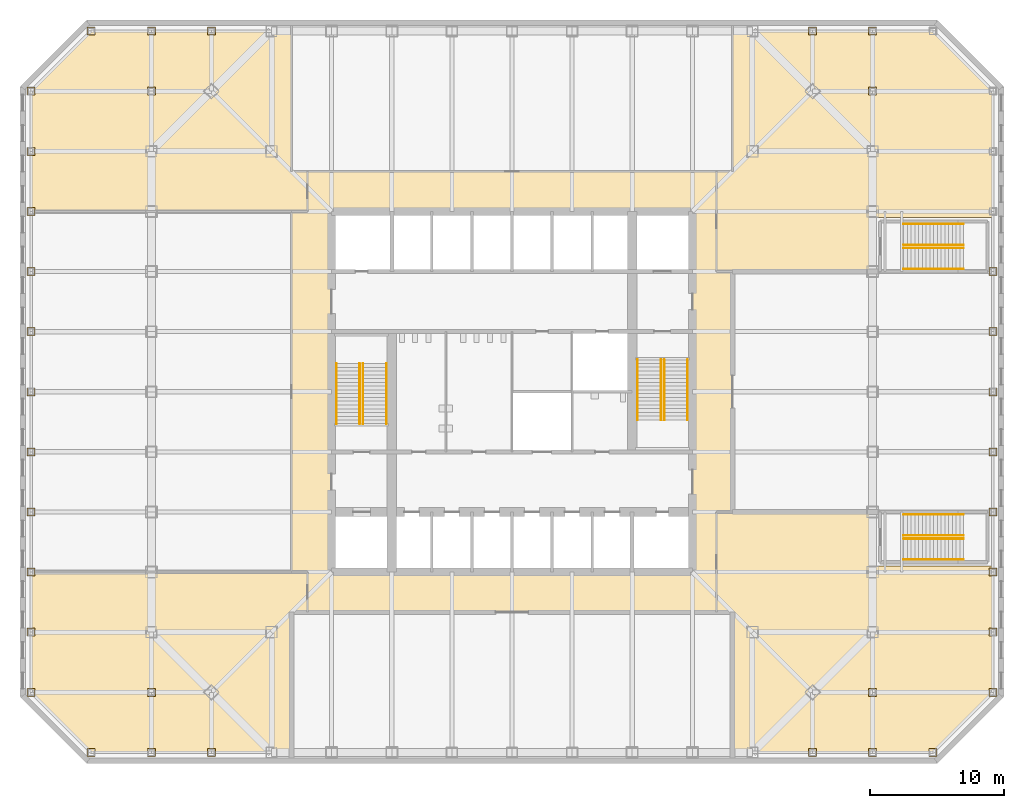
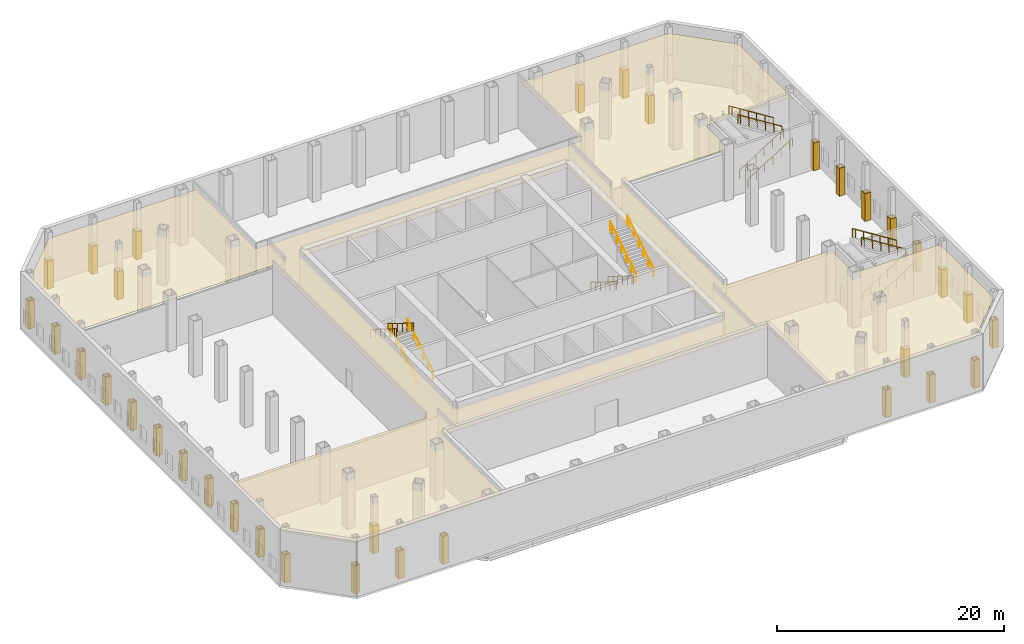
# One storey, part 11 of 13: 35 coverings, 16 railings.
"""IFC4 building model written with IfcOpenShell, lengths in metres."""

from ifc_helpers import new_model, si_unit, direction, frame, origin, origin_2d, place, context, subcontext, project, spatial, polyline, circle, outline, extrude, material, layer, layer_set, type_object, element, save


model = new_model("IFC4")

# Units and contexts
model_context = context("Model", 3, precision=1e-05, world=origin(), true_north=direction((0.0, 1.0)))
body_context = subcontext(model_context, "Body", "Model", "MODEL_VIEW")
ifc_project = project(units=[si_unit("LENGTHUNIT", "METRE"), si_unit("AREAUNIT", "SQUARE_METRE"), si_unit("VOLUMEUNIT", "CUBIC_METRE"), si_unit("PLANEANGLEUNIT", "RADIAN"), si_unit("MASSUNIT", "GRAM", prefix="KILO")], contexts=[model_context])

# Site, building, storey
site_placement = place(None, origin())
site = spatial("IfcSite", under=ifc_project, at=site_placement, CompositionType="ELEMENT")
building_placement = place(site_placement, origin())
building = spatial("IfcBuilding", under=site, at=building_placement, Name="Corais Broadcast Tower", CompositionType="ELEMENT")
storey_placement = place(building_placement, frame((0.0, 0.0, 12.0)))
storey = spatial("IfcBuildingStorey", under=building, at=storey_placement, Name="L02", CompositionType="ELEMENT", Elevation=12.0)

# Railings
ifc_material_1 = material(Name="Stainless steel handrail", Category="steel")
railing_type = type_object("IfcRailingType", Name="Handrail 920", PredefinedType="HANDRAIL", material=ifc_material_1)
for number, where, name in (
    (1, (17.60009765625, 24.60009765625, 0.176513671875), "HR1 L02"),
    (2, (15.85009765625, 24.60009765625, 0.176513671875), "HR1 L02"),
):
    element("IfcRailing", number, at=place(storey_placement, frame(where)), inside=storey, type_object=railing_type, Name=name, PredefinedType="HANDRAIL", context=body_context, shape_type="SweptSolid", body=[
        extrude(circle(Radius=0.02392578125, at=origin_2d()), frame((0.0, 0.0, 0.89599609375), z_axis=(0.0, 0.847701827889, 0.530473006847), x_axis=(-1.0, 0.0, 0.0)), (0.0, 0.0, 1.0), 5.322509765625),
        extrude(circle(Radius=0.02099609375, at=origin_2d()), origin(), (0.0, 0.0, 1.0), 0.871826171875),
        extrude(circle(Radius=0.02099609375, at=origin_2d()), frame((0.0, 0.845947265625, 0.529296875)), (0.0, 0.0, 1.0), 0.871826171875),
        extrude(circle(Radius=0.02099609375, at=origin_2d()), frame((0.0, 1.69189453125, 1.058837890625)), (0.0, 0.0, 1.0), 0.871826171875),
        extrude(circle(Radius=0.02099609375, at=origin_2d()), frame((0.0, 2.5380859375, 1.588134765625)), (0.0, 0.0, 1.0), 0.871826171875),
        extrude(circle(Radius=0.02099609375, at=origin_2d()), frame((0.0, 3.384033203125, 2.11767578125)), (0.0, 0.0, 1.0), 0.871826171875),
        extrude(circle(Radius=0.02099609375, at=origin_2d()), frame((0.0, 4.22998046875, 2.64697265625)), (0.0, 0.0, 1.0), 0.871826171875),
        extrude(circle(Radius=0.02099609375, at=origin_2d()), frame((0.0, 4.511962890625, 2.823486328125)), (0.0, 0.0, 1.0), 0.871826171875),
    ])
for number, where, name in (
    (3, (13.85009765625, 29.112060546875, 3.176513671875), "HR1 L02"),
    (4, (15.60009765625, 29.112060546875, 3.176513671875), "HR1 L02"),
    (5, (36.39990234375, 29.39990234375, 0.176513671875), "HR1 L02"),
    (6, (38.14990234375, 29.39990234375, 0.176513671875), "HR1 L02"),
):
    element("IfcRailing", number, at=place(storey_placement, frame(where)), inside=storey, type_object=railing_type, Name=name, PredefinedType="HANDRAIL", context=body_context, shape_type="SweptSolid", body=[
        extrude(circle(Radius=0.02392578125, at=origin_2d()), frame((0.0, 0.0, 0.89599609375), z_axis=(0.0, -0.847701827889, 0.530473006847), x_axis=(1.0, 0.0, 0.0)), (0.0, 0.0, 1.0), 5.322509765625),
        extrude(circle(Radius=0.02099609375, at=origin_2d()), origin(), (0.0, 0.0, 1.0), 0.871826171875),
        extrude(circle(Radius=0.02099609375, at=origin_2d()), frame((0.0, -0.845947265625, 0.529296875)), (0.0, 0.0, 1.0), 0.871826171875),
        extrude(circle(Radius=0.02099609375, at=origin_2d()), frame((0.0, -1.69189453125, 1.058837890625)), (0.0, 0.0, 1.0), 0.871826171875),
        extrude(circle(Radius=0.02099609375, at=origin_2d()), frame((0.0, -2.5380859375, 1.588134765625)), (0.0, 0.0, 1.0), 0.871826171875),
        extrude(circle(Radius=0.02099609375, at=origin_2d()), frame((0.0, -3.384033203125, 2.11767578125)), (0.0, 0.0, 1.0), 0.871826171875),
        extrude(circle(Radius=0.02099609375, at=origin_2d()), frame((0.0, -4.22998046875, 2.64697265625)), (0.0, 0.0, 1.0), 0.871826171875),
        extrude(circle(Radius=0.02099609375, at=origin_2d()), frame((0.0, -4.511962890625, 2.823486328125)), (0.0, 0.0, 1.0), 0.871826171875),
    ])
for number, where, name in (
    (7, (40.14990234375, 24.887939453125, 3.176513671875), "HR1 L02"),
    (8, (38.39990234375, 24.887939453125, 3.176513671875), "HR1 L02"),
):
    element("IfcRailing", number, at=place(storey_placement, frame(where)), inside=storey, type_object=railing_type, Name=name, PredefinedType="HANDRAIL", context=body_context, shape_type="SweptSolid", body=[
        extrude(circle(Radius=0.02392578125, at=origin_2d()), frame((0.0, 0.0, 0.89599609375), z_axis=(0.0, 0.847701827889, 0.530473006847), x_axis=(-1.0, 0.0, 0.0)), (0.0, 0.0, 1.0), 5.322509765625),
        extrude(circle(Radius=0.02099609375, at=origin_2d()), origin(), (0.0, 0.0, 1.0), 0.871826171875),
        extrude(circle(Radius=0.02099609375, at=origin_2d()), frame((0.0, 0.845947265625, 0.529296875)), (0.0, 0.0, 1.0), 0.871826171875),
        extrude(circle(Radius=0.02099609375, at=origin_2d()), frame((0.0, 1.69189453125, 1.058837890625)), (0.0, 0.0, 1.0), 0.871826171875),
        extrude(circle(Radius=0.02099609375, at=origin_2d()), frame((0.0, 2.5380859375, 1.588134765625)), (0.0, 0.0, 1.0), 0.871826171875),
        extrude(circle(Radius=0.02099609375, at=origin_2d()), frame((0.0, 3.384033203125, 2.11767578125)), (0.0, 0.0, 1.0), 0.871826171875),
        extrude(circle(Radius=0.02099609375, at=origin_2d()), frame((0.0, 4.22998046875, 2.64697265625)), (0.0, 0.0, 1.0), 0.871826171875),
        extrude(circle(Radius=0.02099609375, at=origin_2d()), frame((0.0, 4.511962890625, 2.823486328125)), (0.0, 0.0, 1.0), 0.871826171875),
    ])
for number, where, name in (
    (9, (56.324951171875, 14.449951171875, 0.176513671875), "HR1 L02"),
    (10, (56.324951171875, 16.0, 0.176513671875), "HR1 L02"),
):
    element("IfcRailing", number, at=place(storey_placement, frame(where)), inside=storey, type_object=railing_type, Name=name, PredefinedType="HANDRAIL", context=body_context, shape_type="SweptSolid", body=[
        extrude(circle(Radius=0.02392578125, at=origin_2d()), frame((0.0, 0.0, 0.89599609375), z_axis=(0.845997938375, 0.0, 0.533186166611), x_axis=(0.0, 1.0, 0.0)), (0.0, 0.0, 1.0), 5.29541015625),
        extrude(circle(Radius=0.02099609375, at=origin_2d()), origin(), (0.0, 0.0, 1.0), 0.871826171875),
        extrude(circle(Radius=0.02099609375, at=origin_2d()), frame((0.840087890625, 0.0, 0.529296875)), (0.0, 0.0, 1.0), 0.871826171875),
        extrude(circle(Radius=0.02099609375, at=origin_2d()), frame((1.679931640625, 0.0, 1.058837890625)), (0.0, 0.0, 1.0), 0.871826171875),
        extrude(circle(Radius=0.02099609375, at=origin_2d()), frame((2.52001953125, 0.0, 1.588134765625)), (0.0, 0.0, 1.0), 0.871826171875),
        extrude(circle(Radius=0.02099609375, at=origin_2d()), frame((3.35986328125, 0.0, 2.11767578125)), (0.0, 0.0, 1.0), 0.871826171875),
        extrude(circle(Radius=0.02099609375, at=origin_2d()), frame((4.199951171875, 0.0, 2.64697265625)), (0.0, 0.0, 1.0), 0.871826171875),
        extrude(circle(Radius=0.02099609375, at=origin_2d()), frame((4.47998046875, 0.0, 2.823486328125)), (0.0, 0.0, 1.0), 0.871826171875),
    ])
for number, where, name in (
    (11, (60.804931640625, 17.800048828125, 3.176513671875), "HR1 L02"),
    (12, (60.804931640625, 16.25, 3.176513671875), "HR1 L02"),
):
    element("IfcRailing", number, at=place(storey_placement, frame(where)), inside=storey, type_object=railing_type, Name=name, PredefinedType="HANDRAIL", context=body_context, shape_type="SweptSolid", body=[
        extrude(circle(Radius=0.02392578125, at=origin_2d()), frame((0.0, 0.0, 0.89599609375), z_axis=(-0.845997938375, 0.0, 0.533186166611), x_axis=(0.0, -1.0, 0.0)), (0.0, 0.0, 1.0), 5.29541015625),
        extrude(circle(Radius=0.02099609375, at=origin_2d()), origin(), (0.0, 0.0, 1.0), 0.871826171875),
        extrude(circle(Radius=0.02099609375, at=origin_2d()), frame((-0.840087890625, 0.0, 0.529296875)), (0.0, 0.0, 1.0), 0.871826171875),
        extrude(circle(Radius=0.02099609375, at=origin_2d()), frame((-1.679931640625, 0.0, 1.058837890625)), (0.0, 0.0, 1.0), 0.871826171875),
        extrude(circle(Radius=0.02099609375, at=origin_2d()), frame((-2.52001953125, 0.0, 1.588134765625)), (0.0, 0.0, 1.0), 0.871826171875),
        extrude(circle(Radius=0.02099609375, at=origin_2d()), frame((-3.35986328125, 0.0, 2.11767578125)), (0.0, 0.0, 1.0), 0.871826171875),
        extrude(circle(Radius=0.02099609375, at=origin_2d()), frame((-4.199951171875, 0.0, 2.64697265625)), (0.0, 0.0, 1.0), 0.871826171875),
        extrude(circle(Radius=0.02099609375, at=origin_2d()), frame((-4.47998046875, 0.0, 2.823486328125)), (0.0, 0.0, 1.0), 0.871826171875),
    ])
for number, where, name in (
    (13, (56.324951171875, 36.199951171875, 0.176513671875), "HR1 L02"),
    (14, (56.324951171875, 37.75, 0.176513671875), "HR1 L02"),
):
    element("IfcRailing", number, at=place(storey_placement, frame(where)), inside=storey, type_object=railing_type, Name=name, PredefinedType="HANDRAIL", context=body_context, shape_type="SweptSolid", body=[
        extrude(circle(Radius=0.02392578125, at=origin_2d()), frame((0.0, 0.0, 0.89599609375), z_axis=(0.845997938375, 0.0, 0.533186166611), x_axis=(0.0, 1.0, 0.0)), (0.0, 0.0, 1.0), 5.29541015625),
        extrude(circle(Radius=0.02099609375, at=origin_2d()), origin(), (0.0, 0.0, 1.0), 0.871826171875),
        extrude(circle(Radius=0.02099609375, at=origin_2d()), frame((0.840087890625, 0.0, 0.529296875)), (0.0, 0.0, 1.0), 0.871826171875),
        extrude(circle(Radius=0.02099609375, at=origin_2d()), frame((1.679931640625, 0.0, 1.058837890625)), (0.0, 0.0, 1.0), 0.871826171875),
        extrude(circle(Radius=0.02099609375, at=origin_2d()), frame((2.52001953125, 0.0, 1.588134765625)), (0.0, 0.0, 1.0), 0.871826171875),
        extrude(circle(Radius=0.02099609375, at=origin_2d()), frame((3.35986328125, 0.0, 2.11767578125)), (0.0, 0.0, 1.0), 0.871826171875),
        extrude(circle(Radius=0.02099609375, at=origin_2d()), frame((4.199951171875, 0.0, 2.64697265625)), (0.0, 0.0, 1.0), 0.871826171875),
        extrude(circle(Radius=0.02099609375, at=origin_2d()), frame((4.47998046875, 0.0, 2.823486328125)), (0.0, 0.0, 1.0), 0.871826171875),
    ])
for number, where, name in (
    (15, (60.804931640625, 39.550048828125, 3.176513671875), "HR1 L02"),
    (16, (60.804931640625, 38.0, 3.176513671875), "HR1 L02"),
):
    element("IfcRailing", number, at=place(storey_placement, frame(where)), inside=storey, type_object=railing_type, Name=name, PredefinedType="HANDRAIL", context=body_context, shape_type="SweptSolid", body=[
        extrude(circle(Radius=0.02392578125, at=origin_2d()), frame((0.0, 0.0, 0.89599609375), z_axis=(-0.845997938375, 0.0, 0.533186166611), x_axis=(0.0, -1.0, 0.0)), (0.0, 0.0, 1.0), 5.29541015625),
        extrude(circle(Radius=0.02099609375, at=origin_2d()), origin(), (0.0, 0.0, 1.0), 0.871826171875),
        extrude(circle(Radius=0.02099609375, at=origin_2d()), frame((-0.840087890625, 0.0, 0.529296875)), (0.0, 0.0, 1.0), 0.871826171875),
        extrude(circle(Radius=0.02099609375, at=origin_2d()), frame((-1.679931640625, 0.0, 1.058837890625)), (0.0, 0.0, 1.0), 0.871826171875),
        extrude(circle(Radius=0.02099609375, at=origin_2d()), frame((-2.52001953125, 0.0, 1.588134765625)), (0.0, 0.0, 1.0), 0.871826171875),
        extrude(circle(Radius=0.02099609375, at=origin_2d()), frame((-3.35986328125, 0.0, 2.11767578125)), (0.0, 0.0, 1.0), 0.871826171875),
        extrude(circle(Radius=0.02099609375, at=origin_2d()), frame((-4.199951171875, 0.0, 2.64697265625)), (0.0, 0.0, 1.0), 0.871826171875),
        extrude(circle(Radius=0.02099609375, at=origin_2d()), frame((-4.47998046875, 0.0, 2.823486328125)), (0.0, 0.0, 1.0), 0.871826171875),
    ])

# Coverings
ifc_material_2 = material(Name="Granite stone cladding", Category="masonry")
ifc_layer_1 = layer(ifc_material_2, 0.050048828125)
ifc_layer_set_1 = layer_set([ifc_layer_1], Name="Granite stone cladding")
covering_type_1 = type_object("IfcCoveringType", Name="Pier cladding", PredefinedType="CLADDING", material=ifc_layer_set_1)
covering_1_placement = place(storey_placement, origin())
element("IfcCovering", 17, at=covering_1_placement, inside=storey, type_object=covering_type_1, Name="PC pier cladding L02", PredefinedType="CLADDING", context=body_context, shape_type="SweptSolid", body=[
    extrude(outline(polyline([(-9.300048828125, 4.199951171875), (-8.699951171875, 4.199951171875), (-8.699951171875, 4.800048828125), (-9.300048828125, 4.800048828125), (-9.300048828125, 4.199951171875)]), holes=[polyline([(-9.25, 4.25), (-8.75, 4.25), (-8.75, 4.75), (-9.25, 4.75), (-9.25, 4.25)])]), origin(), (0.0, 0.0, 1.0), 3.0),
])
covering_2_placement = place(storey_placement, origin())
element("IfcCovering", 18, at=covering_2_placement, inside=storey, type_object=covering_type_1, Name="PC pier cladding L02", PredefinedType="CLADDING", context=body_context, shape_type="SweptSolid", body=[
    extrude(outline(polyline([(62.699951171875, 4.199951171875), (63.300048828125, 4.199951171875), (63.300048828125, 4.800048828125), (62.699951171875, 4.800048828125), (62.699951171875, 4.199951171875)]), holes=[polyline([(62.75, 4.25), (63.25, 4.25), (63.25, 4.75), (62.75, 4.75), (62.75, 4.25)])]), origin(), (0.0, 0.0, 1.0), 3.0),
])
covering_3_placement = place(storey_placement, origin())
element("IfcCovering", 19, at=covering_3_placement, inside=storey, type_object=covering_type_1, Name="PC pier cladding L02", PredefinedType="CLADDING", context=body_context, shape_type="SweptSolid", body=[
    extrude(outline(polyline([(-9.300048828125, 8.699951171875), (-8.699951171875, 8.699951171875), (-8.699951171875, 9.300048828125), (-9.300048828125, 9.300048828125), (-9.300048828125, 8.699951171875)]), holes=[polyline([(-9.25, 8.75), (-8.75, 8.75), (-8.75, 9.25), (-9.25, 9.25), (-9.25, 8.75)])]), origin(), (0.0, 0.0, 1.0), 3.0),
])
covering_4_placement = place(storey_placement, origin())
element("IfcCovering", 20, at=covering_4_placement, inside=storey, type_object=covering_type_1, Name="PC pier cladding L02", PredefinedType="CLADDING", context=body_context, shape_type="SweptSolid", body=[
    extrude(outline(polyline([(62.699951171875, 8.699951171875), (63.300048828125, 8.699951171875), (63.300048828125, 9.300048828125), (62.699951171875, 9.300048828125), (62.699951171875, 8.699951171875)]), holes=[polyline([(62.75, 8.75), (63.25, 8.75), (63.25, 9.25), (62.75, 9.25), (62.75, 8.75)])]), origin(), (0.0, 0.0, 1.0), 3.0),
])
covering_5_placement = place(storey_placement, origin())
element("IfcCovering", 21, at=covering_5_placement, inside=storey, type_object=covering_type_1, Name="PC pier cladding L02", PredefinedType="CLADDING", context=body_context, shape_type="SweptSolid", body=[
    extrude(outline(polyline([(-9.300048828125, 13.199951171875), (-8.699951171875, 13.199951171875), (-8.699951171875, 13.800048828125), (-9.300048828125, 13.800048828125), (-9.300048828125, 13.199951171875)]), holes=[polyline([(-9.25, 13.25), (-8.75, 13.25), (-8.75, 13.75), (-9.25, 13.75), (-9.25, 13.25)])]), origin(), (0.0, 0.0, 1.0), 3.0),
])
covering_6_placement = place(storey_placement, origin())
element("IfcCovering", 22, at=covering_6_placement, inside=storey, type_object=covering_type_1, Name="PC pier cladding L02", PredefinedType="CLADDING", context=body_context, shape_type="SweptSolid", body=[
    extrude(outline(polyline([(62.699951171875, 13.199951171875), (63.300048828125, 13.199951171875), (63.300048828125, 13.800048828125), (62.699951171875, 13.800048828125), (62.699951171875, 13.199951171875)]), holes=[polyline([(62.75, 13.25), (63.25, 13.25), (63.25, 13.75), (62.75, 13.75), (62.75, 13.25)])]), origin(), (0.0, 0.0, 1.0), 3.0),
])
covering_7_placement = place(storey_placement, origin())
element("IfcCovering", 23, at=covering_7_placement, inside=storey, type_object=covering_type_1, Name="PC pier cladding L02", PredefinedType="CLADDING", context=body_context, shape_type="SweptSolid", body=[
    extrude(outline(polyline([(-9.300048828125, 17.699951171875), (-8.699951171875, 17.699951171875), (-8.699951171875, 18.300048828125), (-9.300048828125, 18.300048828125), (-9.300048828125, 17.699951171875)]), holes=[polyline([(-9.25, 17.75), (-8.75, 17.75), (-8.75, 18.25), (-9.25, 18.25), (-9.25, 17.75)])]), origin(), (0.0, 0.0, 1.0), 3.0),
])
covering_8_placement = place(storey_placement, origin())
element("IfcCovering", 24, at=covering_8_placement, inside=storey, type_object=covering_type_1, Name="PC pier cladding L02", PredefinedType="CLADDING", context=body_context, shape_type="SweptSolid", body=[
    extrude(outline(polyline([(62.699951171875, 17.699951171875), (63.300048828125, 17.699951171875), (63.300048828125, 18.300048828125), (62.699951171875, 18.300048828125), (62.699951171875, 17.699951171875)]), holes=[polyline([(62.75, 17.75), (63.25, 17.75), (63.25, 18.25), (62.75, 18.25), (62.75, 17.75)])]), origin(), (0.0, 0.0, 1.0), 3.0),
])
covering_9_placement = place(storey_placement, origin())
element("IfcCovering", 25, at=covering_9_placement, inside=storey, type_object=covering_type_1, Name="PC pier cladding L02", PredefinedType="CLADDING", context=body_context, shape_type="SweptSolid", body=[
    extrude(outline(polyline([(-9.300048828125, 22.199951171875), (-8.699951171875, 22.199951171875), (-8.699951171875, 22.800048828125), (-9.300048828125, 22.800048828125), (-9.300048828125, 22.199951171875)]), holes=[polyline([(-9.25, 22.25), (-8.75, 22.25), (-8.75, 22.75), (-9.25, 22.75), (-9.25, 22.25)])]), origin(), (0.0, 0.0, 1.0), 3.0),
])
covering_10_placement = place(storey_placement, origin())
element("IfcCovering", 26, at=covering_10_placement, inside=storey, type_object=covering_type_1, Name="PC pier cladding L02", PredefinedType="CLADDING", context=body_context, shape_type="SweptSolid", body=[
    extrude(outline(polyline([(62.699951171875, 22.199951171875), (63.300048828125, 22.199951171875), (63.300048828125, 22.800048828125), (62.699951171875, 22.800048828125), (62.699951171875, 22.199951171875)]), holes=[polyline([(62.75, 22.25), (63.25, 22.25), (63.25, 22.75), (62.75, 22.75), (62.75, 22.25)])]), origin(), (0.0, 0.0, 1.0), 3.0),
])
covering_11_placement = place(storey_placement, origin())
element("IfcCovering", 27, at=covering_11_placement, inside=storey, type_object=covering_type_1, Name="PC pier cladding L02", PredefinedType="CLADDING", context=body_context, shape_type="SweptSolid", body=[
    extrude(outline(polyline([(-9.300048828125, 26.699951171875), (-8.699951171875, 26.699951171875), (-8.699951171875, 27.300048828125), (-9.300048828125, 27.300048828125), (-9.300048828125, 26.699951171875)]), holes=[polyline([(-9.25, 26.75), (-8.75, 26.75), (-8.75, 27.25), (-9.25, 27.25), (-9.25, 26.75)])]), origin(), (0.0, 0.0, 1.0), 3.0),
])
covering_12_placement = place(storey_placement, origin())
element("IfcCovering", 28, at=covering_12_placement, inside=storey, type_object=covering_type_1, Name="PC pier cladding L02", PredefinedType="CLADDING", context=body_context, shape_type="SweptSolid", body=[
    extrude(outline(polyline([(62.699951171875, 26.699951171875), (63.300048828125, 26.699951171875), (63.300048828125, 27.300048828125), (62.699951171875, 27.300048828125), (62.699951171875, 26.699951171875)]), holes=[polyline([(62.75, 26.75), (63.25, 26.75), (63.25, 27.25), (62.75, 27.25), (62.75, 26.75)])]), origin(), (0.0, 0.0, 1.0), 3.0),
])
covering_13_placement = place(storey_placement, origin())
element("IfcCovering", 29, at=covering_13_placement, inside=storey, type_object=covering_type_1, Name="PC pier cladding L02", PredefinedType="CLADDING", context=body_context, shape_type="SweptSolid", body=[
    extrude(outline(polyline([(-9.300048828125, 31.199951171875), (-8.699951171875, 31.199951171875), (-8.699951171875, 31.800048828125), (-9.300048828125, 31.800048828125), (-9.300048828125, 31.199951171875)]), holes=[polyline([(-9.25, 31.25), (-8.75, 31.25), (-8.75, 31.75), (-9.25, 31.75), (-9.25, 31.25)])]), origin(), (0.0, 0.0, 1.0), 3.0),
])
covering_14_placement = place(storey_placement, origin())
element("IfcCovering", 30, at=covering_14_placement, inside=storey, type_object=covering_type_1, Name="PC pier cladding L02", PredefinedType="CLADDING", context=body_context, shape_type="SweptSolid", body=[
    extrude(outline(polyline([(62.699951171875, 31.199951171875), (63.300048828125, 31.199951171875), (63.300048828125, 31.800048828125), (62.699951171875, 31.800048828125), (62.699951171875, 31.199951171875)]), holes=[polyline([(62.75, 31.25), (63.25, 31.25), (63.25, 31.75), (62.75, 31.75), (62.75, 31.25)])]), origin(), (0.0, 0.0, 1.0), 3.0),
])
covering_15_placement = place(storey_placement, origin())
element("IfcCovering", 31, at=covering_15_placement, inside=storey, type_object=covering_type_1, Name="PC pier cladding L02", PredefinedType="CLADDING", context=body_context, shape_type="SweptSolid", body=[
    extrude(outline(polyline([(-9.300048828125, 35.699951171875), (-8.699951171875, 35.699951171875), (-8.699951171875, 36.300048828125), (-9.300048828125, 36.300048828125), (-9.300048828125, 35.699951171875)]), holes=[polyline([(-9.25, 35.75), (-8.75, 35.75), (-8.75, 36.25), (-9.25, 36.25), (-9.25, 35.75)])]), origin(), (0.0, 0.0, 1.0), 3.0),
])
covering_16_placement = place(storey_placement, origin())
element("IfcCovering", 32, at=covering_16_placement, inside=storey, type_object=covering_type_1, Name="PC pier cladding L02", PredefinedType="CLADDING", context=body_context, shape_type="SweptSolid", body=[
    extrude(outline(polyline([(62.699951171875, 35.699951171875), (63.300048828125, 35.699951171875), (63.300048828125, 36.300048828125), (62.699951171875, 36.300048828125), (62.699951171875, 35.699951171875)]), holes=[polyline([(62.75, 35.75), (63.25, 35.75), (63.25, 36.25), (62.75, 36.25), (62.75, 35.75)])]), origin(), (0.0, 0.0, 1.0), 3.0),
])
covering_17_placement = place(storey_placement, origin())
element("IfcCovering", 33, at=covering_17_placement, inside=storey, type_object=covering_type_1, Name="PC pier cladding L02", PredefinedType="CLADDING", context=body_context, shape_type="SweptSolid", body=[
    extrude(outline(polyline([(-9.300048828125, 40.199951171875), (-8.699951171875, 40.199951171875), (-8.699951171875, 40.800048828125), (-9.300048828125, 40.800048828125), (-9.300048828125, 40.199951171875)]), holes=[polyline([(-9.25, 40.25), (-8.75, 40.25), (-8.75, 40.75), (-9.25, 40.75), (-9.25, 40.25)])]), origin(), (0.0, 0.0, 1.0), 3.0),
])
covering_18_placement = place(storey_placement, origin())
element("IfcCovering", 34, at=covering_18_placement, inside=storey, type_object=covering_type_1, Name="PC pier cladding L02", PredefinedType="CLADDING", context=body_context, shape_type="SweptSolid", body=[
    extrude(outline(polyline([(-9.300048828125, 44.699951171875), (-8.699951171875, 44.699951171875), (-8.699951171875, 45.300048828125), (-9.300048828125, 45.300048828125), (-9.300048828125, 44.699951171875)]), holes=[polyline([(-9.25, 44.75), (-8.75, 44.75), (-8.75, 45.25), (-9.25, 45.25), (-9.25, 44.75)])]), origin(), (0.0, 0.0, 1.0), 3.0),
])
covering_19_placement = place(storey_placement, origin())
element("IfcCovering", 35, at=covering_19_placement, inside=storey, type_object=covering_type_1, Name="PC pier cladding L02", PredefinedType="CLADDING", context=body_context, shape_type="SweptSolid", body=[
    extrude(outline(polyline([(-9.300048828125, 49.199951171875), (-8.699951171875, 49.199951171875), (-8.699951171875, 49.800048828125), (-9.300048828125, 49.800048828125), (-9.300048828125, 49.199951171875)]), holes=[polyline([(-9.25, 49.25), (-8.75, 49.25), (-8.75, 49.75), (-9.25, 49.75), (-9.25, 49.25)])]), origin(), (0.0, 0.0, 1.0), 3.0),
])
covering_20_placement = place(storey_placement, origin())
element("IfcCovering", 36, at=covering_20_placement, inside=storey, type_object=covering_type_1, Name="PC pier cladding L02", PredefinedType="CLADDING", context=body_context, shape_type="SweptSolid", body=[
    extrude(outline(polyline([(-4.800048828125, -0.300048828125), (-4.199951171875, -0.300048828125), (-4.199951171875, 0.300048828125), (-4.800048828125, 0.300048828125), (-4.800048828125, -0.300048828125)]), holes=[polyline([(-4.75, -0.25), (-4.25, -0.25), (-4.25, 0.25), (-4.75, 0.25), (-4.75, -0.25)])]), origin(), (0.0, 0.0, 1.0), 3.0),
])
covering_21_placement = place(storey_placement, origin())
element("IfcCovering", 37, at=covering_21_placement, inside=storey, type_object=covering_type_1, Name="PC pier cladding L02", PredefinedType="CLADDING", context=body_context, shape_type="SweptSolid", body=[
    extrude(outline(polyline([(-4.800048828125, 53.699951171875), (-4.199951171875, 53.699951171875), (-4.199951171875, 54.300048828125), (-4.800048828125, 54.300048828125), (-4.800048828125, 53.699951171875)]), holes=[polyline([(-4.75, 53.75), (-4.25, 53.75), (-4.25, 54.25), (-4.75, 54.25), (-4.75, 53.75)])]), origin(), (0.0, 0.0, 1.0), 3.0),
])
covering_22_placement = place(storey_placement, origin())
element("IfcCovering", 38, at=covering_22_placement, inside=storey, type_object=covering_type_1, Name="PC pier cladding L02", PredefinedType="CLADDING", context=body_context, shape_type="SweptSolid", body=[
    extrude(outline(polyline([(58.199951171875, -0.300048828125), (58.800048828125, -0.300048828125), (58.800048828125, 0.300048828125), (58.199951171875, 0.300048828125), (58.199951171875, -0.300048828125)]), holes=[polyline([(58.25, -0.25), (58.75, -0.25), (58.75, 0.25), (58.25, 0.25), (58.25, -0.25)])]), origin(), (0.0, 0.0, 1.0), 3.0),
])
covering_23_placement = place(storey_placement, origin())
element("IfcCovering", 39, at=covering_23_placement, inside=storey, type_object=covering_type_1, Name="PC pier cladding L02", PredefinedType="CLADDING", context=body_context, shape_type="SweptSolid", body=[
    extrude(outline(polyline([(-0.300048828125, -0.300048828125), (0.300048828125, -0.300048828125), (0.300048828125, 0.300048828125), (-0.300048828125, 0.300048828125), (-0.300048828125, -0.300048828125)]), holes=[polyline([(-0.25, -0.25), (0.25, -0.25), (0.25, 0.25), (-0.25, 0.25), (-0.25, -0.25)])]), origin(), (0.0, 0.0, 1.0), 3.0),
])
covering_24_placement = place(storey_placement, origin())
element("IfcCovering", 40, at=covering_24_placement, inside=storey, type_object=covering_type_1, Name="PC pier cladding L02", PredefinedType="CLADDING", context=body_context, shape_type="SweptSolid", body=[
    extrude(outline(polyline([(4.199951171875, -0.300048828125), (4.800048828125, -0.300048828125), (4.800048828125, 0.300048828125), (4.199951171875, 0.300048828125), (4.199951171875, -0.300048828125)]), holes=[polyline([(4.25, -0.25), (4.75, -0.25), (4.75, 0.25), (4.25, 0.25), (4.25, -0.25)])]), origin(), (0.0, 0.0, 1.0), 3.0),
])
covering_25_placement = place(storey_placement, origin())
element("IfcCovering", 41, at=covering_25_placement, inside=storey, type_object=covering_type_1, Name="PC pier cladding L02", PredefinedType="CLADDING", context=body_context, shape_type="SweptSolid", body=[
    extrude(outline(polyline([(-0.300048828125, 4.199951171875), (0.300048828125, 4.199951171875), (0.300048828125, 4.800048828125), (-0.300048828125, 4.800048828125), (-0.300048828125, 4.199951171875)]), holes=[polyline([(-0.25, 4.25), (0.25, 4.25), (0.25, 4.75), (-0.25, 4.75), (-0.25, 4.25)])]), origin(), (0.0, 0.0, 1.0), 3.0),
])
covering_26_placement = place(storey_placement, origin())
element("IfcCovering", 42, at=covering_26_placement, inside=storey, type_object=covering_type_1, Name="PC pier cladding L02", PredefinedType="CLADDING", context=body_context, shape_type="SweptSolid", body=[
    extrude(outline(polyline([(53.699951171875, -0.300048828125), (54.300048828125, -0.300048828125), (54.300048828125, 0.300048828125), (53.699951171875, 0.300048828125), (53.699951171875, -0.300048828125)]), holes=[polyline([(53.75, -0.25), (54.25, -0.25), (54.25, 0.25), (53.75, 0.25), (53.75, -0.25)])]), origin(), (0.0, 0.0, 1.0), 3.0),
])
covering_27_placement = place(storey_placement, origin())
element("IfcCovering", 43, at=covering_27_placement, inside=storey, type_object=covering_type_1, Name="PC pier cladding L02", PredefinedType="CLADDING", context=body_context, shape_type="SweptSolid", body=[
    extrude(outline(polyline([(49.199951171875, -0.300048828125), (49.800048828125, -0.300048828125), (49.800048828125, 0.300048828125), (49.199951171875, 0.300048828125), (49.199951171875, -0.300048828125)]), holes=[polyline([(49.25, -0.25), (49.75, -0.25), (49.75, 0.25), (49.25, 0.25), (49.25, -0.25)])]), origin(), (0.0, 0.0, 1.0), 3.0),
])
covering_28_placement = place(storey_placement, origin())
element("IfcCovering", 44, at=covering_28_placement, inside=storey, type_object=covering_type_1, Name="PC pier cladding L02", PredefinedType="CLADDING", context=body_context, shape_type="SweptSolid", body=[
    extrude(outline(polyline([(53.699951171875, 4.199951171875), (54.300048828125, 4.199951171875), (54.300048828125, 4.800048828125), (53.699951171875, 4.800048828125), (53.699951171875, 4.199951171875)]), holes=[polyline([(53.75, 4.25), (54.25, 4.25), (54.25, 4.75), (53.75, 4.75), (53.75, 4.25)])]), origin(), (0.0, 0.0, 1.0), 3.0),
])
covering_29_placement = place(storey_placement, origin())
element("IfcCovering", 45, at=covering_29_placement, inside=storey, type_object=covering_type_1, Name="PC pier cladding L02", PredefinedType="CLADDING", context=body_context, shape_type="SweptSolid", body=[
    extrude(outline(polyline([(53.699951171875, 53.699951171875), (54.300048828125, 53.699951171875), (54.300048828125, 54.300048828125), (53.699951171875, 54.300048828125), (53.699951171875, 53.699951171875)]), holes=[polyline([(53.75, 53.75), (54.25, 53.75), (54.25, 54.25), (53.75, 54.25), (53.75, 53.75)])]), origin(), (0.0, 0.0, 1.0), 3.0),
])
covering_30_placement = place(storey_placement, origin())
element("IfcCovering", 46, at=covering_30_placement, inside=storey, type_object=covering_type_1, Name="PC pier cladding L02", PredefinedType="CLADDING", context=body_context, shape_type="SweptSolid", body=[
    extrude(outline(polyline([(49.199951171875, 53.699951171875), (49.800048828125, 53.699951171875), (49.800048828125, 54.300048828125), (49.199951171875, 54.300048828125), (49.199951171875, 53.699951171875)]), holes=[polyline([(49.25, 53.75), (49.75, 53.75), (49.75, 54.25), (49.25, 54.25), (49.25, 53.75)])]), origin(), (0.0, 0.0, 1.0), 3.0),
])
covering_31_placement = place(storey_placement, origin())
element("IfcCovering", 47, at=covering_31_placement, inside=storey, type_object=covering_type_1, Name="PC pier cladding L02", PredefinedType="CLADDING", context=body_context, shape_type="SweptSolid", body=[
    extrude(outline(polyline([(53.699951171875, 49.199951171875), (54.300048828125, 49.199951171875), (54.300048828125, 49.800048828125), (53.699951171875, 49.800048828125), (53.699951171875, 49.199951171875)]), holes=[polyline([(53.75, 49.25), (54.25, 49.25), (54.25, 49.75), (53.75, 49.75), (53.75, 49.25)])]), origin(), (0.0, 0.0, 1.0), 3.0),
])
covering_32_placement = place(storey_placement, origin())
element("IfcCovering", 48, at=covering_32_placement, inside=storey, type_object=covering_type_1, Name="PC pier cladding L02", PredefinedType="CLADDING", context=body_context, shape_type="SweptSolid", body=[
    extrude(outline(polyline([(-0.300048828125, 53.699951171875), (0.300048828125, 53.699951171875), (0.300048828125, 54.300048828125), (-0.300048828125, 54.300048828125), (-0.300048828125, 53.699951171875)]), holes=[polyline([(-0.25, 53.75), (0.25, 53.75), (0.25, 54.25), (-0.25, 54.25), (-0.25, 53.75)])]), origin(), (0.0, 0.0, 1.0), 3.0),
])
covering_33_placement = place(storey_placement, origin())
element("IfcCovering", 49, at=covering_33_placement, inside=storey, type_object=covering_type_1, Name="PC pier cladding L02", PredefinedType="CLADDING", context=body_context, shape_type="SweptSolid", body=[
    extrude(outline(polyline([(4.199951171875, 53.699951171875), (4.800048828125, 53.699951171875), (4.800048828125, 54.300048828125), (4.199951171875, 54.300048828125), (4.199951171875, 53.699951171875)]), holes=[polyline([(4.25, 53.75), (4.75, 53.75), (4.75, 54.25), (4.25, 54.25), (4.25, 53.75)])]), origin(), (0.0, 0.0, 1.0), 3.0),
])
covering_34_placement = place(storey_placement, origin())
element("IfcCovering", 50, at=covering_34_placement, inside=storey, type_object=covering_type_1, Name="PC pier cladding L02", PredefinedType="CLADDING", context=body_context, shape_type="SweptSolid", body=[
    extrude(outline(polyline([(-0.300048828125, 49.199951171875), (0.300048828125, 49.199951171875), (0.300048828125, 49.800048828125), (-0.300048828125, 49.800048828125), (-0.300048828125, 49.199951171875)]), holes=[polyline([(-0.25, 49.25), (0.25, 49.25), (0.25, 49.75), (-0.25, 49.75), (-0.25, 49.25)])]), origin(), (0.0, 0.0, 1.0), 3.0),
])
ifc_material_3 = material(Name="Mineral fibre ceiling tile", Category="mineral")
ifc_layer_2 = layer(ifc_material_3, 0.02001953125)
ifc_layer_set_2 = layer_set([ifc_layer_2], Name="Mineral fibre ceiling tile")
covering_type_2 = type_object("IfcCoveringType", Name="Suspended ceiling", PredefinedType="CEILING", material=ifc_layer_set_2)
covering_35_placement = place(storey_placement, frame((0.0, 0.0, 5.179931640625)))
element("IfcCovering", 51, at=covering_35_placement, inside=storey, type_object=covering_type_2, Name="CE1 ceiling L02", PredefinedType="CEILING", context=body_context, shape_type="SweptSolid", body=[
    extrude(outline(polyline([(-4.5, 0.0), (-9.0, 4.5), (-9.0, 13.5), (10.5, 13.5), (10.5, 40.5), (-9.0, 40.5), (-9.0, 49.5), (-4.5, 54.0), (10.5, 54.0), (10.5, 43.5), (43.5, 43.5), (43.5, 54.0), (58.5, 54.0), (63.0, 49.5), (63.0, 39.75), (62.89990234375, 39.75), (62.89990234375, 40.050048828125), (54.25, 40.050048828125), (54.25, 36.0), (43.5, 36.0), (43.5, 18.0), (54.25, 18.0), (54.25, 13.949951171875), (62.89990234375, 13.949951171875), (62.89990234375, 14.25), (63.0, 14.25), (63.0, 4.5), (58.5, 0.0), (43.5, 0.0), (43.5, 10.5), (10.5, 10.5), (10.5, 0.0), (-4.5, 0.0)]), holes=[polyline([(40.5, 40.5), (13.5, 40.5), (13.5, 13.5), (40.5, 13.5), (40.5, 40.5)])]), origin(), (0.0, 0.0, 1.0), 0.02001953125),
])

save(model, "model.ifc")
